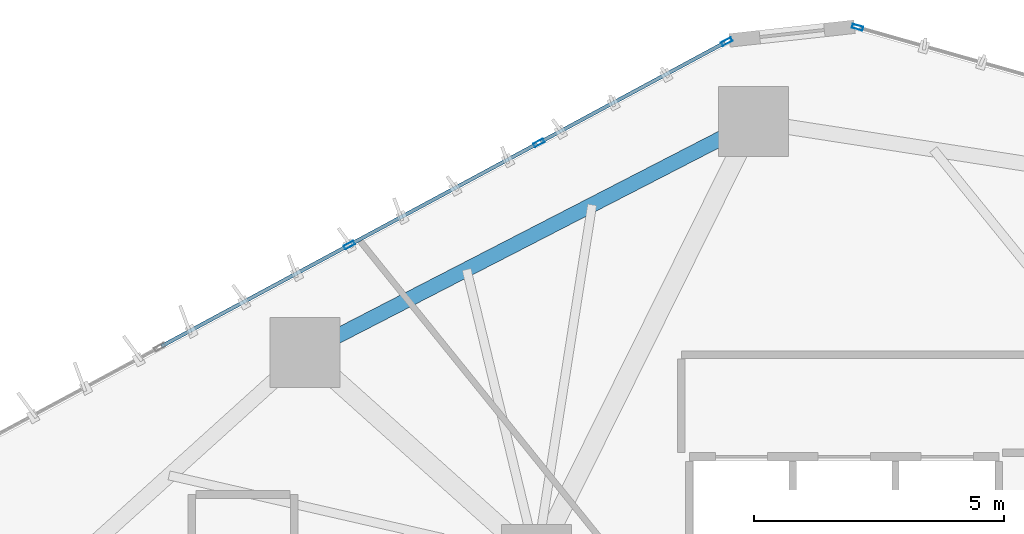
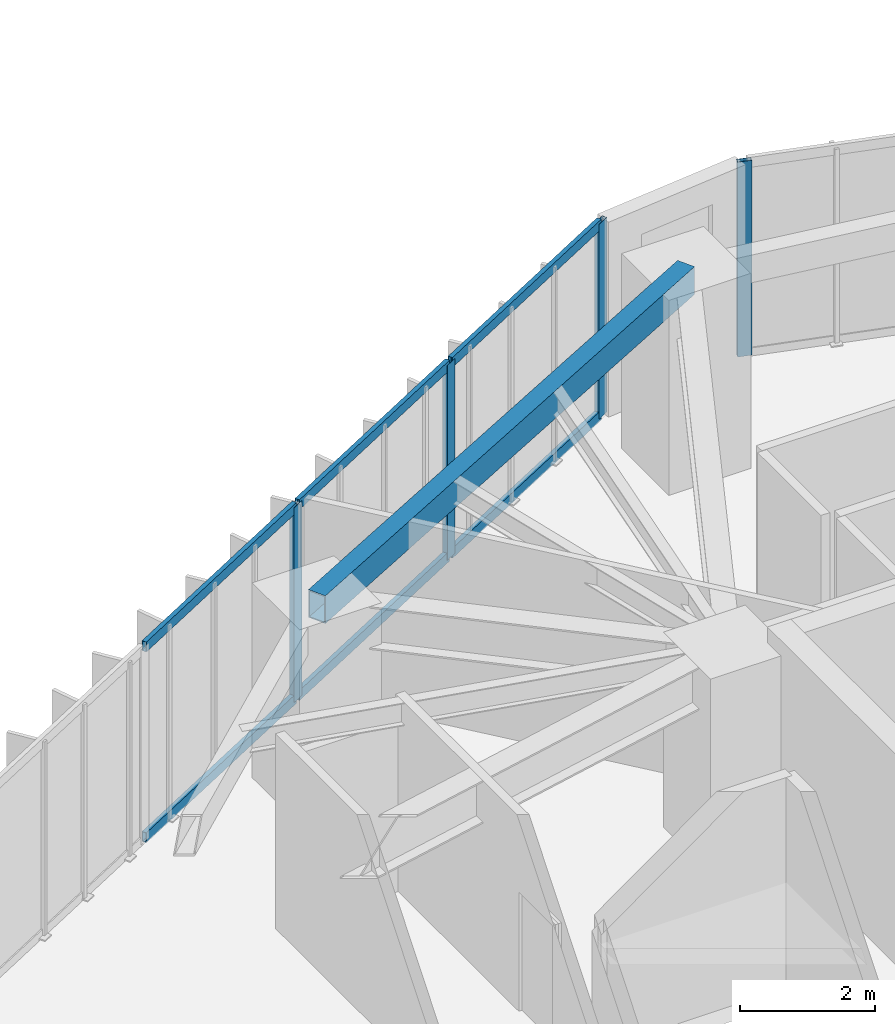
# One storey, part 15 of 24: 10 members, 1 beam, 2 elements without a shape of their own.
"""IFC4 building model written with IfcOpenShell, lengths in metres."""

from ifc_helpers import new_model, si_unit, direction, frame, origin, origin_2d, place, context, subcontext, project, spatial, hollow_rectangle, extrude, source, transform, mapped, material, layer, layer_set, material_profile, profile_set, type_object, type_shapes, element, aggregate, save


model = new_model("IFC4")

# Units and contexts
model_context = context("Model", 3, precision=1e-05, world=origin(), true_north=direction((0.0, 1.0)))
body_context = subcontext(model_context, "Body", "Model", "MODEL_VIEW")
ifc_project = project(units=[si_unit("LENGTHUNIT", "METRE"), si_unit("AREAUNIT", "SQUARE_METRE"), si_unit("VOLUMEUNIT", "CUBIC_METRE"), si_unit("PLANEANGLEUNIT", "RADIAN"), si_unit("MASSUNIT", "GRAM", prefix="KILO")], contexts=[model_context])

# Site, building, storey
site_placement = place(None, origin())
site = spatial("IfcSite", under=ifc_project, at=site_placement, CompositionType="ELEMENT")
building_placement = place(site_placement, origin())
building = spatial("IfcBuilding", under=site, at=building_placement, Name="Talar Marvaseh", CompositionType="ELEMENT")
storey_placement = place(building_placement, frame((0.0, 0.0, 43.0)))
storey = spatial("IfcBuildingStorey", under=building, at=storey_placement, Name="L10", CompositionType="ELEMENT", Elevation=43.0)

# Beam
ifc_material_1 = material(Name="Steel S355", Category="steel")
ifc_material_profile_1 = material_profile(ifc_material_1, hollow_rectangle(XDim=0.300048828125, YDim=0.5, WallThickness=0.02001953125, at=origin_2d()), Name="RHS500x300x20")
ifc_profile_set_1 = profile_set([ifc_material_profile_1], Name="Steel S355")
beam_type = type_object("IfcBeamType", Name="Zone 1 Perimeter Spandrel Beam RHS500x300x20", PredefinedType="SPANDREL", material=ifc_profile_set_1)
beam_placement = place(storey_placement, frame((14.069091796875, 41.04296875, 3.27001953125), z_axis=(0.889015710182, 0.457876694155, 0.0), x_axis=(-0.457876694155, 0.889015710182, 0.0)))
element("IfcBeam", 1, at=beam_placement, inside=storey, type_object=beam_type, Name="L10 Zone 1 Perimeter Spandrel Beam RHS500x300x20", PredefinedType="SPANDREL", context=body_context, shape_type="SweptSolid", body=[
    extrude(hollow_rectangle(XDim=0.300048828125, YDim=0.5, WallThickness=0.02001953125, at=origin_2d()), origin(), (0.0, 0.0, 1.0), 10.098876953125),
])

# Curtain wall, members
ifc_material_2 = material(Name="Architectural Aluminium", Category="aluminium")
ifc_layer = layer(ifc_material_2, 0.219970703125)
ifc_layer_set = layer_set([ifc_layer], Name="Architectural Aluminium")
curtain_wall_type = type_object("IfcCurtainWallType", Name="Unitised Low-E Museum Curtain Wall Z1", PredefinedType="NOTDEFINED", material=ifc_layer_set)
curtain_wall_1_placement = place(storey_placement, origin())
curtain_wall_1 = element("IfcCurtainWall", 2, at=curtain_wall_1_placement, inside=storey, type_object=curtain_wall_type, Name="L10 Unitised Low-E Museum Curtain Wall Z1", PredefinedType="NOTDEFINED")
ifc_material_profile_2 = material_profile(ifc_material_2, hollow_rectangle(XDim=0.080078125, YDim=0.219970703125, WallThickness=0.0048828125, at=origin_2d()), Name="RHS220x80x5")
ifc_profile_set_2 = profile_set([ifc_material_profile_2], Name="Architectural Aluminium")
member_type_1 = type_object("IfcMemberType", Name="Unitised Curtain Wall Heavy Mullion RHS220x80x5", PredefinedType="MULLION", material=ifc_profile_set_2)
shared_shape_1 = source(origin(), body_context, "Body", "SweptSolid", [
    extrude(hollow_rectangle(XDim=0.080078125, YDim=0.219970703125, WallThickness=0.0048828125, at=origin_2d()), origin(), (0.0, 0.0, 1.0), 3.52001953125),
])
type_shapes(member_type_1, [shared_shape_1])
member_1_placement = place(storey_placement, frame((14.952880859375, 43.1962890625, 0.0), z_axis=(0.0, 0.0, 1.0), x_axis=(-0.474363607665, 0.880329011065, 0.0)))
member_1 = element("IfcMember", 3, at=member_1_placement, type_object=member_type_1, Name="CW-Z1 mullion 3", PredefinedType="MULLION", context=body_context, shape_type="MappedRepresentation", body=[
    mapped(shared_shape_1, transform((0.0, 0.0, 0.0), x_axis=(1.0, 0.0, 0.0), y_axis=(0.0, 1.0, 0.0), z_axis=(0.0, 0.0, 1.0), scale=1.0)),
])
member_2_placement = place(storey_placement, frame((18.748779296875, 45.24169921875, 0.0), z_axis=(0.0, 0.0, 1.0), x_axis=(-0.474363607665, 0.880329011065, 0.0)))
member_2 = element("IfcMember", 4, at=member_2_placement, type_object=member_type_1, Name="CW-Z1 mullion 4", PredefinedType="MULLION", context=body_context, shape_type="MappedRepresentation", body=[
    mapped(shared_shape_1, transform((0.0, 0.0, 0.0), x_axis=(1.0, 0.0, 0.0), y_axis=(0.0, 1.0, 0.0), z_axis=(0.0, 0.0, 1.0), scale=1.0)),
])
member_3_placement = place(storey_placement, frame((22.509521484375, 47.26806640625, 0.0), z_axis=(0.0, 0.0, 1.0), x_axis=(-0.474363607665, 0.880329011065, 0.0)))
member_3 = element("IfcMember", 5, at=member_3_placement, type_object=member_type_1, Name="CW-Z1 mullion 5", PredefinedType="MULLION", context=body_context, shape_type="MappedRepresentation", body=[
    mapped(shared_shape_1, transform((0.0, 0.0, 0.0), x_axis=(1.0, 0.0, 0.0), y_axis=(0.0, 1.0, 0.0), z_axis=(0.0, 0.0, 1.0), scale=1.0)),
])

# Curtain wall, member
curtain_wall_2_placement = place(storey_placement, origin())
curtain_wall_2 = element("IfcCurtainWall", 6, at=curtain_wall_2_placement, inside=storey, type_object=curtain_wall_type, Name="L10 Unitised Low-E Museum Curtain Wall Z1", PredefinedType="NOTDEFINED")
member_4_placement = place(storey_placement, frame((25.129150390625, 47.554931640625, 0.0), z_axis=(0.0, 0.0, 1.0), x_axis=(0.272578599403, 0.962133518358, 0.0)))
member_4 = element("IfcMember", 7, at=member_4_placement, type_object=member_type_1, Name="CW-Z1 mullion 1", PredefinedType="MULLION", context=body_context, shape_type="MappedRepresentation", body=[
    mapped(shared_shape_1, transform((0.0, 0.0, 0.0), x_axis=(1.0, 0.0, 0.0), y_axis=(0.0, 1.0, 0.0), z_axis=(0.0, 0.0, 1.0), scale=1.0)),
])
aggregate(curtain_wall_2, [member_4])

# Member
ifc_material_profile_3 = material_profile(ifc_material_2, hollow_rectangle(XDim=0.074951171875, YDim=0.179931640625, WallThickness=0.0048828125, at=origin_2d()), Name="RHS180x75x5")
ifc_profile_set_3 = profile_set([ifc_material_profile_3], Name="Architectural Aluminium")
member_type_2 = type_object("IfcMemberType", Name="Unitised Curtain Wall Transom RHS180x75x5", PredefinedType="USERDEFINED", material=ifc_profile_set_3)
shared_shape_2 = source(origin(), body_context, "Body", "SweptSolid", [
    extrude(hollow_rectangle(XDim=0.074951171875, YDim=0.179931640625, WallThickness=0.0048828125, at=origin_2d()), origin(), (0.0, 0.0, 1.0), 4.23193359375),
])
member_5_placement = place(storey_placement, frame((11.1923828125, 41.169677734375, 0.03759765625), z_axis=(0.880311737505, 0.474395662724, 0.0), x_axis=(-0.474395662724, 0.880311737505, 0.0)))
member_5 = element("IfcMember", 8, at=member_5_placement, type_object=member_type_2, Name="CW-Z1 transom 2.1", ObjectType="TRANSOM", PredefinedType="USERDEFINED", context=body_context, shape_type="MappedRepresentation", body=[
    mapped(shared_shape_2, transform((0.0, 0.0, 0.0), x_axis=(1.0, 0.0, 0.0), y_axis=(0.0, 1.0, 0.0), z_axis=(0.0, 0.0, 1.0), scale=1.0)),
])

member_6_placement = place(storey_placement, frame((11.1923828125, 41.169677734375, 3.482421875), z_axis=(0.880311737505, 0.474395662724, 0.0), x_axis=(-0.474395662724, 0.880311737505, 0.0)))
member_6 = element("IfcMember", 9, at=member_6_placement, type_object=member_type_2, Name="CW-Z1 transom 2.2", ObjectType="TRANSOM", PredefinedType="USERDEFINED", context=body_context, shape_type="MappedRepresentation", body=[
    mapped(shared_shape_2, transform((0.0, 0.0, 0.0), x_axis=(1.0, 0.0, 0.0), y_axis=(0.0, 1.0, 0.0), z_axis=(0.0, 0.0, 1.0), scale=1.0)),
])

member_7_placement = place(storey_placement, frame((14.98828125, 43.215087890625, 0.03759765625), z_axis=(0.880311737505, 0.474395662724, 0.0), x_axis=(-0.474395662724, 0.880311737505, 0.0)))
member_7 = element("IfcMember", 10, at=member_7_placement, type_object=member_type_2, Name="CW-Z1 transom 3.1", ObjectType="TRANSOM", PredefinedType="USERDEFINED", context=body_context, shape_type="MappedRepresentation", body=[
    mapped(shared_shape_2, transform((0.0, 0.0, 0.0), x_axis=(1.0, 0.0, 0.0), y_axis=(0.0, 1.0, 0.0), z_axis=(0.0, 0.0, 1.0), scale=1.0)),
])

member_8_placement = place(storey_placement, frame((14.98828125, 43.215087890625, 3.482421875), z_axis=(0.880311737505, 0.474395662724, 0.0), x_axis=(-0.474395662724, 0.880311737505, 0.0)))
member_8 = element("IfcMember", 11, at=member_8_placement, type_object=member_type_2, Name="CW-Z1 transom 3.2", ObjectType="TRANSOM", PredefinedType="USERDEFINED", context=body_context, shape_type="MappedRepresentation", body=[
    mapped(shared_shape_2, transform((0.0, 0.0, 0.0), x_axis=(1.0, 0.0, 0.0), y_axis=(0.0, 1.0, 0.0), z_axis=(0.0, 0.0, 1.0), scale=1.0)),
])

shared_shape_3 = source(origin(), body_context, "Body", "SweptSolid", [
    extrude(hollow_rectangle(XDim=0.074951171875, YDim=0.179931640625, WallThickness=0.0048828125, at=origin_2d()), origin(), (0.0, 0.0, 1.0), 4.192138671875),
])
type_shapes(member_type_2, [shared_shape_2, shared_shape_3])
member_9_placement = place(storey_placement, frame((18.783935546875, 45.260498046875, 0.03759765625), z_axis=(0.880334550026, 0.474353328259, 0.0), x_axis=(-0.474353328259, 0.880334550026, 0.0)))
member_9 = element("IfcMember", 12, at=member_9_placement, type_object=member_type_2, Name="CW-Z1 transom 4.1", ObjectType="TRANSOM", PredefinedType="USERDEFINED", context=body_context, shape_type="MappedRepresentation", body=[
    mapped(shared_shape_3, transform((0.0, 0.0, 0.0), x_axis=(1.0, 0.0, 0.0), y_axis=(0.0, 1.0, 0.0), z_axis=(0.0, 0.0, 1.0), scale=1.0)),
])

member_10_placement = place(storey_placement, frame((18.783935546875, 45.260498046875, 3.482421875), z_axis=(0.880334550026, 0.474353328259, 0.0), x_axis=(-0.474353328259, 0.880334550026, 0.0)))
member_10 = element("IfcMember", 13, at=member_10_placement, type_object=member_type_2, Name="CW-Z1 transom 4.2", ObjectType="TRANSOM", PredefinedType="USERDEFINED", context=body_context, shape_type="MappedRepresentation", body=[
    mapped(shared_shape_3, transform((0.0, 0.0, 0.0), x_axis=(1.0, 0.0, 0.0), y_axis=(0.0, 1.0, 0.0), z_axis=(0.0, 0.0, 1.0), scale=1.0)),
])

aggregate(curtain_wall_1, [member_1, member_2, member_3, member_5, member_6, member_7, member_8, member_9, member_10])

save(model, "model.ifc")
